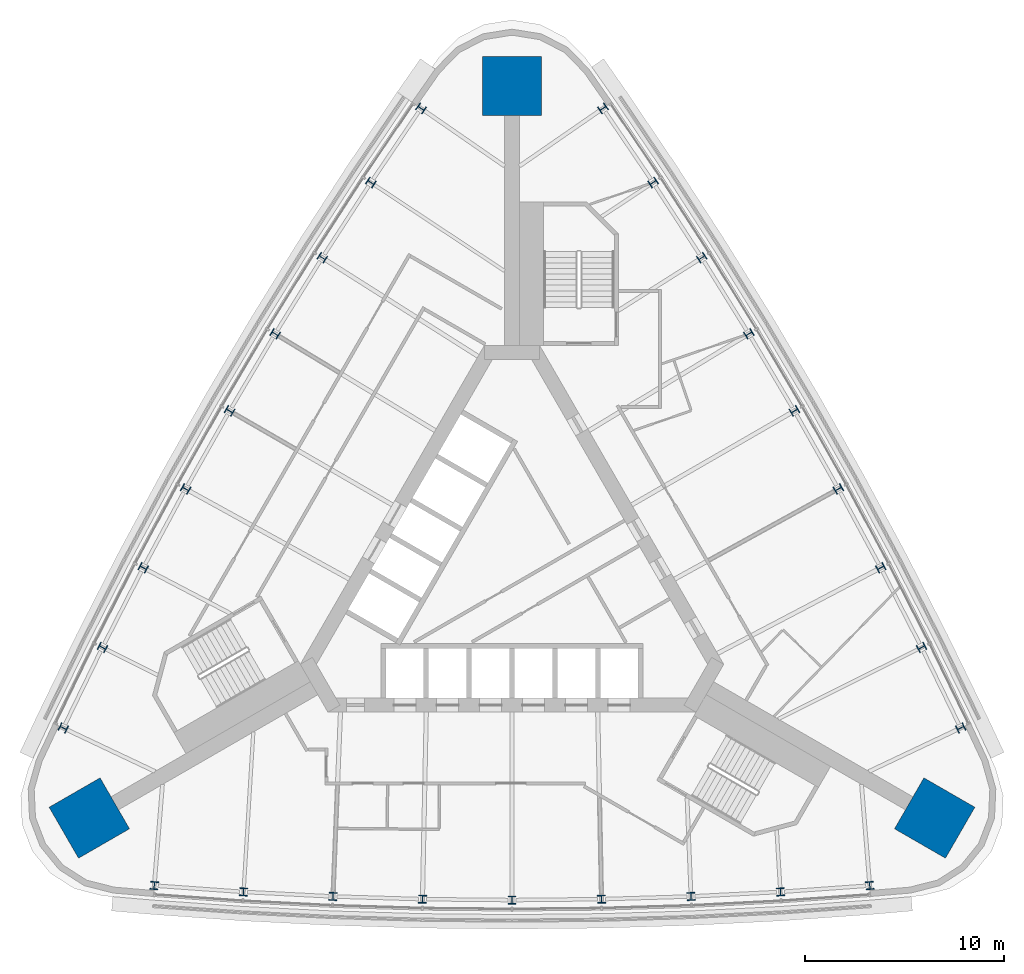
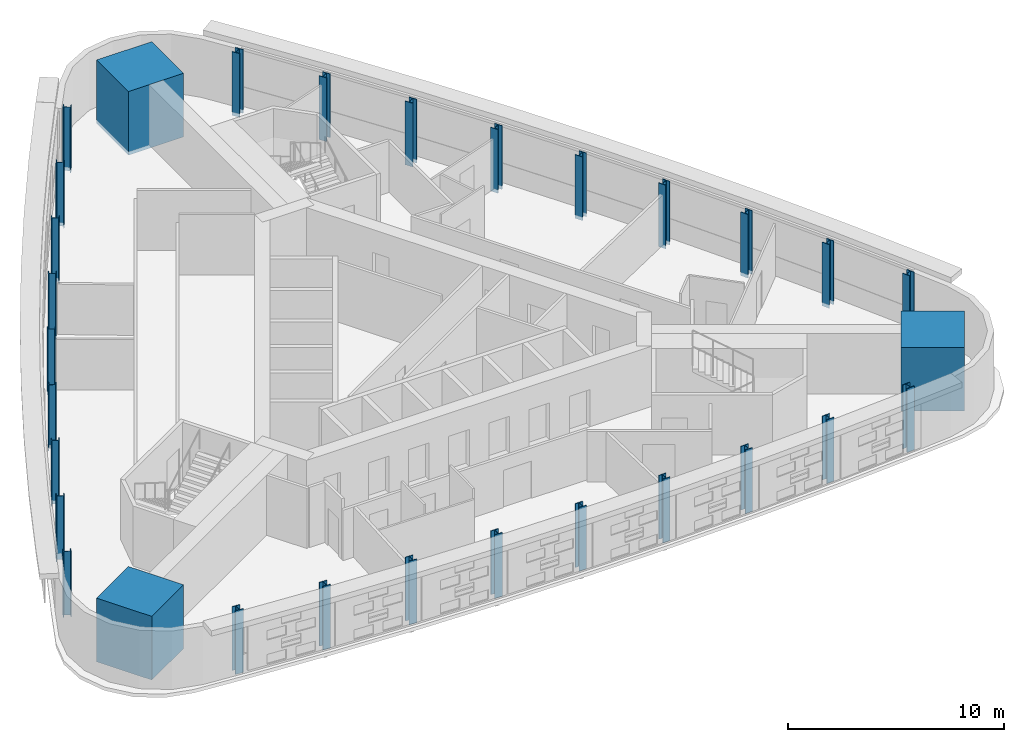
# One storey, part 1 of 11: 30 columns.
"""IFC4 building model written with IfcOpenShell, lengths in metres."""

from ifc_helpers import new_model, si_unit, direction, frame, origin, origin_2d, place, context, subcontext, project, spatial, rectangle, i_section, extrude, material, material_profile, profile_set, type_object, element, save


model = new_model("IFC4")

# Units and contexts
model_context = context("Model", 3, precision=1e-05, world=origin(), true_north=direction((0.0, 1.0)))
body_context = subcontext(model_context, "Body", "Model", "MODEL_VIEW")
ifc_project = project(units=[si_unit("LENGTHUNIT", "METRE"), si_unit("AREAUNIT", "SQUARE_METRE"), si_unit("VOLUMEUNIT", "CUBIC_METRE"), si_unit("PLANEANGLEUNIT", "RADIAN"), si_unit("MASSUNIT", "GRAM", prefix="KILO")], contexts=[model_context])

# Site, building, storey
site_placement = place(None, origin())
site = spatial("IfcSite", under=ifc_project, at=site_placement, CompositionType="ELEMENT")
building_placement = place(site_placement, origin())
building = spatial("IfcBuilding", under=site, at=building_placement, Name="Noor Cloister Tower", CompositionType="ELEMENT")
storey_placement = place(building_placement, frame((0.0, 0.0, 116.699951171875)))
storey = spatial("IfcBuildingStorey", under=building, at=storey_placement, Name="L30", CompositionType="ELEMENT", Elevation=116.699951171875)

# Columns
ifc_material_1 = material(Name="Steel ASTM A992 Gr 50", Category="steel")
ifc_material_profile_1 = material_profile(ifc_material_1, i_section(OverallWidth=0.40087890625, OverallDepth=0.39892578125, WebThickness=0.02490234375, FlangeThickness=0.03955078125, FilletRadius=0.015380859375, at=origin_2d()), Name="W360x314")
ifc_profile_set_1 = profile_set([ifc_material_profile_1], Name="Steel ASTM A992 Gr 50")
column_type_1 = type_object("IfcColumnType", Name="Column W360x314", PredefinedType="COLUMN", material=ifc_profile_set_1)
for number, where, z_axis, x_axis, name in (
    (1, (-4.56005859375, 23.343017578125, -0.199951171875), (0.0, 0.0, 1.0), (-0.568579465539, -0.822628343401, 0.0), "Column NW 01 L30"),
    (2, (-7.07470703125, 19.624755859375, -0.199951171875), (0.0, 0.0, 1.0), (-0.551768440172, -0.83399735517, 0.0), "Column NW 02 L30"),
    (3, (-9.513427734375, 15.856201171875, -0.199951171875), (0.0, 0.0, 1.0), (-0.534730160694, -0.845022872616, 0.0), "Column NW 03 L30"),
    (4, (-11.875, 12.0390625, -0.199951171875), (0.0, 0.0, 1.0), (-0.517471644577, -0.855700354715, 0.0), "Column NW 04 L30"),
    (5, (-14.15869140625, 8.174560546875, -0.199951171875), (0.0, 0.0, 1.0), (-0.5, -0.866025403784, 0.0), "Column NW 05 L30"),
    (6, (-16.363525390625, 4.2646484375, -0.199951171875), (0.0, 0.0, 1.0), (-0.482322422922, -0.875993767299, 0.0), "Column NW 06 L30"),
    (7, (-18.488525390625, 0.310791015625, -0.199951171875), (0.0, 0.0, 1.0), (-0.464446194118, -0.885601339639, 0.0), "Column NW 07 L30"),
    (8, (-20.532958984375, -3.685546875, -0.199951171875), (0.0, 0.0, 1.0), (-0.446378676181, -0.89484416378, 0.0), "Column NW 08 L30"),
    (9, (-22.495849609375, -7.722412109375, -0.199951171875), (0.0, 0.0, 1.0), (-0.428127310489, -0.903718432928, 0.0), "Column NW 09 L30"),
    (10, (-17.935546875, -15.620849609375, -0.199951171875), (0.0, 0.0, 1.0), (0.996706776028, -0.081090089527, 0.0), "Column S 01 L30"),
    (11, (-13.458251953125, -15.939208984375, -0.199951171875), (0.0, 0.0, 1.0), (0.998147116352, -0.06084680861, 0.0), "Column S 02 L30"),
    (12, (-8.97509765625, -16.1669921875, -0.199951171875), (0.0, 0.0, 1.0), (0.999176354811, -0.040578467022, 0.0), "Column S 03 L30"),
    (13, (-4.488525390625, -16.3037109375, -0.199951171875), (0.0, 0.0, 1.0), (0.999794067499, -0.020293412584, 0.0), "Column S 04 L30"),
    (14, (0.0, -16.34912109375, -0.199951171875), (0.0, 0.0, 1.0), (1.0, 0.0, 0.0), "Column S 05 L30"),
    (15, (4.488525390625, -16.3037109375, -0.199951171875), (0.0, 0.0, 1.0), (0.999794067499, 0.020293412584, 0.0), "Column S 06 L30"),
    (16, (8.97509765625, -16.1669921875, -0.199951171875), (0.0, 0.0, 1.0), (0.999176354811, 0.040578467022, 0.0), "Column S 07 L30"),
    (17, (13.458251953125, -15.939208984375, -0.199951171875), (0.0, 0.0, 1.0), (0.998147116352, 0.06084680861, 0.0), "Column S 08 L30"),
    (18, (17.935546875, -15.620849609375, -0.199951171875), (0.0, 0.0, 1.0), (0.996706776028, 0.081090089527, 0.0), "Column S 09 L30"),
    (19, (22.495849609375, -7.722412109375, -0.199951171875), (0.0, 0.0, 1.0), (-0.428127310489, 0.903718432928, 0.0), "Column NE 01 L30"),
    (20, (20.532958984375, -3.685546875, -0.199951171875), (0.0, 0.0, 1.0), (-0.446378676181, 0.89484416378, 0.0), "Column NE 02 L30"),
    (21, (18.488525390625, 0.310791015625, -0.199951171875), (0.0, 0.0, 1.0), (-0.464446194118, 0.885601339639, 0.0), "Column NE 03 L30"),
    (22, (16.363525390625, 4.2646484375, -0.199951171875), (0.0, 0.0, 1.0), (-0.482322422922, 0.875993767299, 0.0), "Column NE 04 L30"),
    (23, (14.15869140625, 8.174560546875, -0.199951171875), (0.0, 0.0, 1.0), (-0.5, 0.866025403784, 0.0), "Column NE 05 L30"),
    (24, (11.875, 12.0390625, -0.199951171875), (0.0, 0.0, 1.0), (-0.517471644577, 0.855700354715, 0.0), "Column NE 06 L30"),
    (25, (9.513427734375, 15.856201171875, -0.199951171875), (0.0, 0.0, 1.0), (-0.534730160694, 0.845022872616, 0.0), "Column NE 07 L30"),
    (26, (7.07470703125, 19.624755859375, -0.199951171875), (0.0, 0.0, 1.0), (-0.551768440172, 0.83399735517, 0.0), "Column NE 08 L30"),
    (27, (4.56005859375, 23.343017578125, -0.199951171875), (0.0, 0.0, 1.0), (-0.568579465539, 0.822628343401, 0.0), "Column NE 09 L30"),
):
    element("IfcColumn", number, at=place(storey_placement, frame(where, z_axis=z_axis, x_axis=x_axis)), inside=storey, type_object=column_type_1, Name=name, PredefinedType="COLUMN", context=body_context, shape_type="SweptSolid", body=[
        extrude(i_section(OverallWidth=0.40087890625, OverallDepth=0.39892578125, WebThickness=0.02490234375, FlangeThickness=0.03955078125, FilletRadius=0.015380859375, at=origin_2d()), origin(), (0.0, 0.0, 1.0), 3.60009765625),
    ])
ifc_material_2 = material(Name="Concrete C80/95", Category="concrete")
ifc_material_profile_2 = material_profile(ifc_material_2, rectangle(XDim=2.949951171875, YDim=2.949951171875, at=origin_2d()), Name="RC 2950x2950")
ifc_profile_set_2 = profile_set([ifc_material_profile_2], Name="Concrete C80/95")
column_type_2 = type_object("IfcColumnType", Name="Corner pier 2950 x 2950 C80/95", PredefinedType="COLUMN", material=ifc_profile_set_2)
for number, where, z_axis, x_axis, name in (
    (28, (0.0, 24.469970703125, -0.199951171875), (0.0, 0.0, 1.0), (0.0, 1.0, 0.0), "Corner pier N L30"),
    (29, (-21.191650390625, -12.235107421875, -0.199951171875), (0.0, 0.0, 1.0), (-0.866025403784, -0.5, 0.0), "Corner pier SW L30"),
    (30, (21.191650390625, -12.235107421875, -0.199951171875), (0.0, 0.0, 1.0), (0.866025403784, -0.5, 0.0), "Corner pier SE L30"),
):
    element("IfcColumn", number, at=place(storey_placement, frame(where, z_axis=z_axis, x_axis=x_axis)), inside=storey, type_object=column_type_2, Name=name, PredefinedType="COLUMN", context=body_context, shape_type="SweptSolid", body=[
        extrude(rectangle(XDim=2.949951171875, YDim=2.949951171875, at=origin_2d()), origin(), (0.0, 0.0, 1.0), 3.60009765625),
    ])

save(model, "model.ifc")
